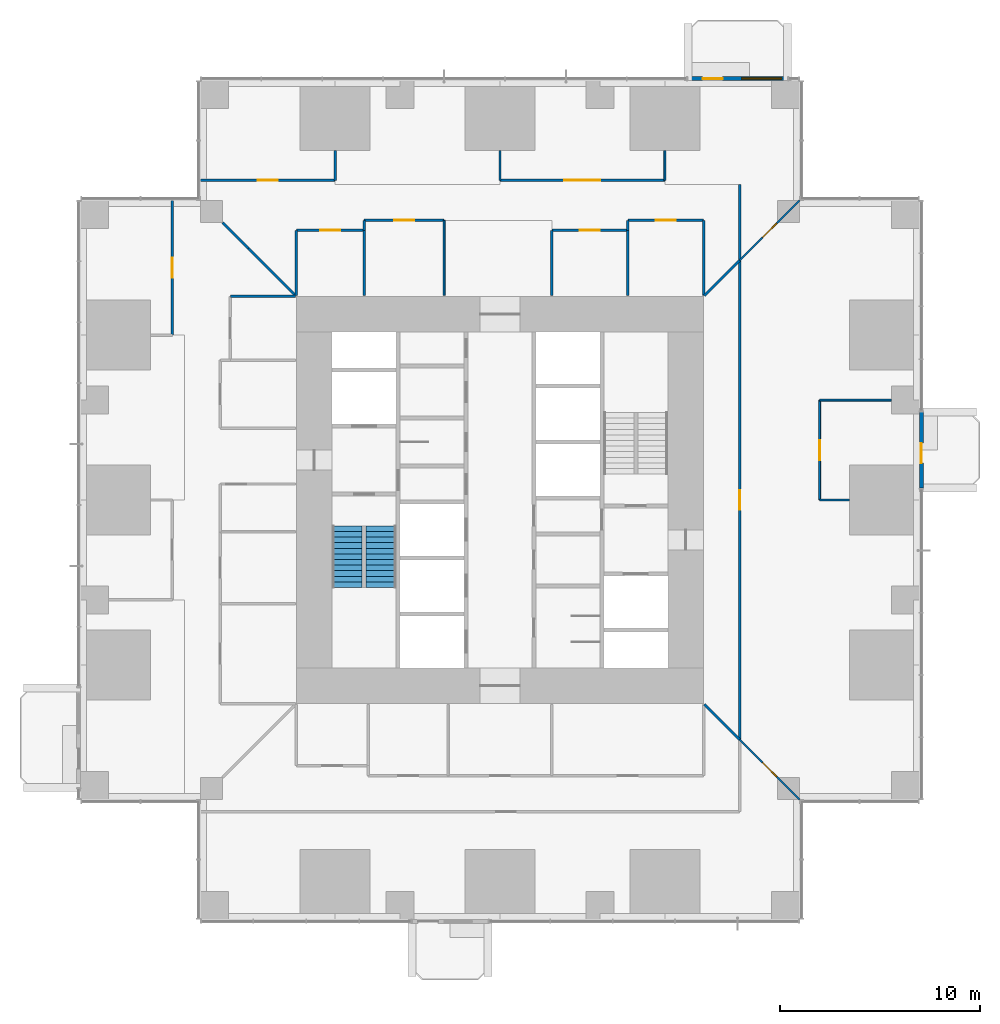
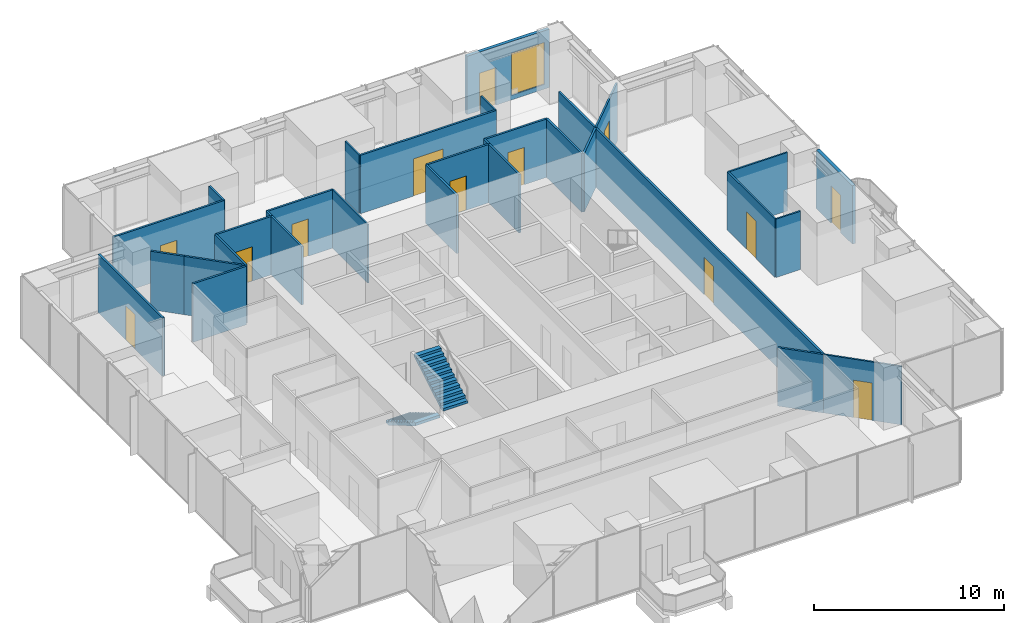
# One storey, part 13 of 17: 32 walls, 13 doors, 2 stair flights, 1 window, 14 openings, 1 element without a shape of its own.
"""IFC4 building model written with IfcOpenShell, lengths in metres."""

from ifc_helpers import new_model, si_unit, direction, frame, frame_2d, origin, place, context, subcontext, project, spatial, polyline, rectangle, outline, extrude, material, layer, layer_set, type_object, element, fill, aggregate, save


model = new_model("IFC4")

# Units and contexts
model_context = context("Model", 3, precision=1e-05, world=origin(), true_north=direction((0.0, 1.0)))
body_context = subcontext(model_context, "Body", "Model", "MODEL_VIEW")
ifc_project = project(units=[si_unit("LENGTHUNIT", "METRE"), si_unit("AREAUNIT", "SQUARE_METRE"), si_unit("VOLUMEUNIT", "CUBIC_METRE"), si_unit("PLANEANGLEUNIT", "RADIAN"), si_unit("MASSUNIT", "GRAM", prefix="KILO")], contexts=[model_context])

# Site, building, storey
site_placement = place(None, origin())
site = spatial("IfcSite", under=ifc_project, at=site_placement, CompositionType="ELEMENT")
building_placement = place(site_placement, origin())
building = spatial("IfcBuilding", under=site, at=building_placement, Name="Svetlomir Tower", CompositionType="ELEMENT")
storey_placement = place(building_placement, frame((0.0, 0.0, 30.5)))
storey = spatial("IfcBuildingStorey", under=building, at=storey_placement, Name="L06", CompositionType="ELEMENT", Elevation=30.5)

# Wall, opening, door
ifc_material_1 = material(Name="Bronze anodised aluminium glazed screen", Category="aluminium")
ifc_layer_1 = layer(ifc_material_1, 0.199951171875)
ifc_layer_set_1 = layer_set([ifc_layer_1], Name="Bronze anodised aluminium glazed screen")
wall_type_1 = type_object("IfcWallType", Name="BALCONY SCREEN WALL 200", PredefinedType="USERDEFINED", material=ifc_layer_set_1)
wall_1_placement = place(storey_placement, frame((42.10009765625, 21.60009765625, 0.0), z_axis=(0.0, 0.0, 1.0), x_axis=(0.0, 1.0, 0.0)))
wall_1 = element("IfcWall", 1, at=wall_1_placement, inside=storey, type_object=wall_type_1, Name="Balcony screen E", ObjectType="GLAZED SCREEN", PredefinedType="USERDEFINED", context=body_context, shape_type="SweptSolid", body=[
    extrude(rectangle(XDim=3.7998046875, YDim=0.199951171875, at=frame_2d((1.89990234375, 0.0))), origin(), (0.0, 0.0, 1.0), 3.75),
])
opening_1_placement = place(wall_1_placement, frame((1.25, 0.0, 0.0)))
opening_1 = element("IfcOpeningElement", 2, at=opening_1_placement, cuts=wall_1, Name="Opening BD", PredefinedType="OPENING", context=body_context, shape_type="SweptSolid", body=[
    extrude(rectangle(XDim=1.0, YDim=2.39990234375, at=frame_2d((0.5, 1.199951171875))), frame((0.0, 0.10986328125, 0.0), z_axis=(0.0, -1.0, 0.0), x_axis=(1.0, 0.0, 0.0)), (0.0, 0.0, 1.0), 0.219970703125),
])
ifc_material_2 = material(Name="Bronze anodised aluminium glazed door", Category="aluminium")
door_type_1 = type_object("IfcDoorType", Name="BALCONY DOOR BD 1000x2400", OperationType="SINGLE_SWING_LEFT", PredefinedType="DOOR", material=ifc_material_2)
door_1_placement = place(opening_1_placement, origin())
door_1 = element("IfcDoor", 3, at=door_1_placement, inside=storey, type_object=door_type_1, Name="Balcony screen E door", OperationType="SINGLE_SWING_LEFT", OverallHeight=2.39990234375, OverallWidth=1.0, PredefinedType="DOOR", context=body_context, shape_type="SweptSolid", body=[
    extrude(rectangle(XDim=1.0, YDim=2.39990234375, at=frame_2d((0.5, 1.199951171875))), frame((0.0, 0.02490234375, 0.0), z_axis=(0.0, -1.0, 0.0), x_axis=(1.0, 0.0, 0.0)), (0.0, 0.0, 1.0), 0.050048828125),
])
fill(opening_1, door_1)

# Wall, openings, door, window
wall_2_placement = place(storey_placement, frame((35.39990234375, 42.10009765625, 0.0), z_axis=(0.0, 0.0, 1.0), x_axis=(-1.0, 0.0, 0.0)))
wall_2 = element("IfcWall", 4, at=wall_2_placement, inside=storey, type_object=wall_type_1, Name="Balcony screen N", ObjectType="GLAZED SCREEN", PredefinedType="USERDEFINED", context=body_context, shape_type="SweptSolid", body=[
    extrude(rectangle(XDim=5.0, YDim=0.199951171875, at=frame_2d((2.5, 0.0))), origin(), (0.0, 0.0, 1.0), 3.75),
])
opening_2_placement = place(wall_2_placement, frame((3.25, 0.0, 0.0)))
opening_2 = element("IfcOpeningElement", 5, at=opening_2_placement, cuts=wall_2, Name="Opening BD", PredefinedType="OPENING", context=body_context, shape_type="SweptSolid", body=[
    extrude(rectangle(XDim=1.0, YDim=2.39990234375, at=frame_2d((0.5, 1.199951171875))), frame((0.0, 0.10986328125, 0.0), z_axis=(0.0, -1.0, 0.0), x_axis=(1.0, 0.0, 0.0)), (0.0, 0.0, 1.0), 0.219970703125),
])
opening_3_placement = place(wall_2_placement, frame((0.300048828125, 0.0, 0.300048828125)))
opening_3 = element("IfcOpeningElement", 6, at=opening_3_placement, cuts=wall_2, Name="Opening WS", PredefinedType="OPENING", context=body_context, shape_type="SweptSolid", body=[
    extrude(rectangle(XDim=2.0, YDim=2.699951171875, at=frame_2d((1.0, 1.35009765625))), frame((0.0, 0.10986328125, 0.0), z_axis=(0.0, -1.0, 0.0), x_axis=(1.0, 0.0, 0.0)), (0.0, 0.0, 1.0), 0.219970703125),
])
door_2_placement = place(opening_2_placement, origin())
door_2 = element("IfcDoor", 7, at=door_2_placement, inside=storey, type_object=door_type_1, Name="Balcony screen N door", OperationType="SINGLE_SWING_LEFT", OverallHeight=2.39990234375, OverallWidth=1.0, PredefinedType="DOOR", context=body_context, shape_type="SweptSolid", body=[
    extrude(rectangle(XDim=1.0, YDim=2.39990234375, at=frame_2d((0.5, 1.199951171875))), frame((0.0, 0.02490234375, 0.0), z_axis=(0.0, -1.0, 0.0), x_axis=(1.0, 0.0, 0.0)), (0.0, 0.0, 1.0), 0.050048828125),
])
fill(opening_2, door_2)
ifc_material_3 = material(Name="Bronze anodised aluminium window", Category="aluminium")
window_type = type_object("IfcWindowType", Name="SCREEN WINDOW WS 2000x2700", PartitioningType="SINGLE_PANEL", PredefinedType="WINDOW", material=ifc_material_3)
window_placement = place(opening_3_placement, origin())
window = element("IfcWindow", 8, at=window_placement, inside=storey, type_object=window_type, Name="Balcony screen N window 1", OverallHeight=2.699951171875, OverallWidth=2.0, PartitioningType="SINGLE_PANEL", PredefinedType="WINDOW", context=body_context, shape_type="SweptSolid", body=[
    extrude(rectangle(XDim=2.0, YDim=2.699951171875, at=frame_2d((1.0, 1.35009765625))), frame((0.0, 0.030029296875, 0.0), z_axis=(0.0, -1.0, 0.0), x_axis=(1.0, 0.0, 0.0)), (0.0, 0.0, 1.0), 0.06005859375),
])
fill(opening_3, window)

# Walls
ifc_material_4 = material(Name="Framed laminated glass partition", Category="glass")
ifc_layer_2 = layer(ifc_material_4, 0.10009765625)
ifc_layer_set_2 = layer_set([ifc_layer_2], Name="Framed laminated glass partition")
wall_type_2 = type_object("IfcWallType", Name="GLAZED PARTITION 100", PredefinedType="PARTITIONING", material=ifc_layer_set_2)
wall_3_placement = place(storey_placement, frame((18.199951171875, 31.25, 0.0), z_axis=(0.0, 0.0, 1.0), x_axis=(0.0, 1.0, 0.0)))
element("IfcWall", 9, at=wall_3_placement, inside=storey, type_object=wall_type_2, Name="Glazed partition L06", PredefinedType="PARTITIONING", context=body_context, shape_type="SweptSolid", body=[
    extrude(rectangle(XDim=3.75, YDim=0.10009765625, at=frame_2d((1.875, 0.0))), origin(), (0.0, 0.0, 1.0), 3.75),
])
for number, where, z_axis, x_axis, name in (
    (10, (21.0, 37.0, 0.0), (0.0, 0.0, 1.0), (0.0, 1.0, 0.0), "Glazed partition L06"),
    (11, (29.25, 37.0, 0.0), (0.0, 0.0, 1.0), (0.0, 1.0, 0.0), "Glazed partition L06"),
):
    element("IfcWall", number, at=place(storey_placement, frame(where, z_axis=z_axis, x_axis=x_axis)), inside=storey, type_object=wall_type_2, Name=name, PredefinedType="PARTITIONING", context=body_context, shape_type="SweptSolid", body=[
        extrude(rectangle(XDim=1.489990234375, YDim=0.10009765625, at=frame_2d((0.7451171875, 0.0))), origin(), (0.0, 0.0, 1.0), 3.75),
    ])

# Wall, opening, door
wall_4_placement = place(storey_placement, frame((37.0, 21.0, 0.0), z_axis=(0.0, 0.0, 1.0), x_axis=(0.0, 1.0, 0.0)))
wall_4 = element("IfcWall", 12, at=wall_4_placement, inside=storey, type_object=wall_type_2, Name="Glazed partition L06", PredefinedType="PARTITIONING", context=body_context, shape_type="SweptSolid", body=[
    extrude(rectangle(XDim=5.0, YDim=0.10009765625, at=frame_2d((2.5, 0.0))), origin(), (0.0, 0.0, 1.0), 3.75),
])
opening_4_placement = place(wall_4_placement, frame((2.0, 0.0, 0.0)))
opening_4 = element("IfcOpeningElement", 13, at=opening_4_placement, cuts=wall_4, Name="Opening DG", PredefinedType="OPENING", context=body_context, shape_type="SweptSolid", body=[
    extrude(rectangle(XDim=1.0, YDim=2.39990234375, at=frame_2d((0.5, 1.199951171875))), frame((0.0, 0.06005859375, 0.0), z_axis=(0.0, -1.0, 0.0), x_axis=(1.0, 0.0, 0.0)), (0.0, 0.0, 1.0), 0.1201171875),
])
ifc_material_5 = material(Name="Framed laminated glass door", Category="glass")
door_type_2 = type_object("IfcDoorType", Name="GLAZED DOOR DG 1000x2400", OperationType="SINGLE_SWING_LEFT", PredefinedType="DOOR", material=ifc_material_5)
door_3_placement = place(opening_4_placement, origin())
door_3 = element("IfcDoor", 14, at=door_3_placement, inside=storey, type_object=door_type_2, Name="Dealers' break-out and kitchenette door L06", OperationType="SINGLE_SWING_LEFT", OverallHeight=2.39990234375, OverallWidth=1.0, PredefinedType="DOOR", context=body_context, shape_type="SweptSolid", body=[
    extrude(rectangle(XDim=1.0, YDim=2.39990234375, at=frame_2d((0.5, 1.199951171875))), frame((0.0, 0.02490234375, 0.0), z_axis=(0.0, -1.0, 0.0), x_axis=(1.0, 0.0, 0.0)), (0.0, 0.0, 1.0), 0.050048828125),
])
fill(opening_4, door_3)

# Walls
wall_5_placement = place(storey_placement, frame((37.0, 21.0, 0.0), z_axis=(0.0, 0.0, 1.0), x_axis=(1.0, 0.0, 0.0)))
element("IfcWall", 15, at=wall_5_placement, inside=storey, type_object=wall_type_2, Name="Glazed partition L06", PredefinedType="PARTITIONING", context=body_context, shape_type="SweptSolid", body=[
    extrude(rectangle(XDim=1.489990234375, YDim=0.10009765625, at=frame_2d((0.7451171875, 0.0))), origin(), (0.0, 0.0, 1.0), 3.75),
])
wall_6_placement = place(storey_placement, frame((37.0, 26.0, 0.0), z_axis=(0.0, 0.0, 1.0), x_axis=(1.0, 0.0, 0.0)))
element("IfcWall", 16, at=wall_6_placement, inside=storey, type_object=wall_type_2, Name="Glazed partition L06", PredefinedType="PARTITIONING", context=body_context, shape_type="SweptSolid", body=[
    extrude(rectangle(XDim=3.590087890625, YDim=0.10009765625, at=frame_2d((1.794921875, 0.0))), origin(), (0.0, 0.0, 1.0), 3.75),
])

# Wall, opening, door
wall_7_placement = place(storey_placement, frame((33.0, 9.0, 0.0), z_axis=(0.0, 0.0, 1.0), x_axis=(0.707106781187, -0.707106781187, 0.0)))
wall_7 = element("IfcWall", 17, at=wall_7_placement, inside=storey, type_object=wall_type_2, Name="Glazed screen L06", PredefinedType="PARTITIONING", context=body_context, shape_type="SweptSolid", body=[
    extrude(rectangle(XDim=4.24267578125, YDim=0.10009765625, at=frame_2d((2.121337890625, 0.0))), origin(), (0.0, 0.0, 1.0), 3.75),
])
opening_5_placement = place(wall_7_placement, frame((1.621337890625, 0.0, 0.0)))
opening_5 = element("IfcOpeningElement", 18, at=opening_5_placement, cuts=wall_7, Name="Opening DG", PredefinedType="OPENING", context=body_context, shape_type="SweptSolid", body=[
    extrude(rectangle(XDim=1.0, YDim=2.39990234375, at=frame_2d((0.5, 1.199951171875))), frame((0.0, 0.06005859375, 0.0), z_axis=(0.0, -1.0, 0.0), x_axis=(1.0, 0.0, 0.0)), (0.0, 0.0, 1.0), 0.1201171875),
])
door_4_placement = place(opening_5_placement, origin())
door_4 = element("IfcDoor", 19, at=door_4_placement, inside=storey, type_object=door_type_2, Name="Glazed screen door L06", OperationType="SINGLE_SWING_RIGHT", OverallHeight=2.39990234375, OverallWidth=1.0, PredefinedType="DOOR", context=body_context, shape_type="SweptSolid", body=[
    extrude(rectangle(XDim=1.0, YDim=2.39990234375, at=frame_2d((0.5, 1.199951171875))), frame((0.0, 0.02490234375, 0.0), z_axis=(0.0, -1.0, 0.0), x_axis=(1.0, 0.0, 0.0)), (0.0, 0.0, 1.0), 0.050048828125),
])
fill(opening_5, door_4)

wall_8_placement = place(storey_placement, frame((33.0, 33.0, 0.0), z_axis=(0.0, 0.0, 1.0), x_axis=(0.707106781187, 0.707106781187, 0.0)))
wall_8 = element("IfcWall", 20, at=wall_8_placement, inside=storey, type_object=wall_type_2, Name="Glazed screen L06", PredefinedType="PARTITIONING", context=body_context, shape_type="SweptSolid", body=[
    extrude(rectangle(XDim=4.24267578125, YDim=0.10009765625, at=frame_2d((2.121337890625, 0.0))), origin(), (0.0, 0.0, 1.0), 3.75),
])
opening_6_placement = place(wall_8_placement, frame((1.621337890625, 0.0, 0.0)))
opening_6 = element("IfcOpeningElement", 21, at=opening_6_placement, cuts=wall_8, Name="Opening DG", PredefinedType="OPENING", context=body_context, shape_type="SweptSolid", body=[
    extrude(rectangle(XDim=1.0, YDim=2.39990234375, at=frame_2d((0.5, 1.199951171875))), frame((0.0, 0.06005859375, 0.0), z_axis=(0.0, -1.0, 0.0), x_axis=(1.0, 0.0, 0.0)), (0.0, 0.0, 1.0), 0.1201171875),
])
door_5_placement = place(opening_6_placement, origin())
door_5 = element("IfcDoor", 22, at=door_5_placement, inside=storey, type_object=door_type_2, Name="Glazed screen door L06", OperationType="SINGLE_SWING_RIGHT", OverallHeight=2.39990234375, OverallWidth=1.0, PredefinedType="DOOR", context=body_context, shape_type="SweptSolid", body=[
    extrude(rectangle(XDim=1.0, YDim=2.39990234375, at=frame_2d((0.5, 1.199951171875))), frame((0.0, 0.02490234375, 0.0), z_axis=(0.0, -1.0, 0.0), x_axis=(1.0, 0.0, 0.0)), (0.0, 0.0, 1.0), 0.050048828125),
])
fill(opening_6, door_5)

ifc_material_6 = material(Name="Gypsum board on steel studs", Category="steel")
ifc_layer_3 = layer(ifc_material_6, 0.1201171875)
ifc_layer_set_3 = layer_set([ifc_layer_3], Name="Gypsum board on steel studs")
wall_type_3 = type_object("IfcWallType", Name="PARTITION 120", PredefinedType="PARTITIONING", material=ifc_layer_set_3)
wall_9_placement = place(storey_placement, frame((4.60009765625, 29.25, 0.0), z_axis=(0.0, 0.0, 1.0), x_axis=(0.0, 1.0, 0.0)))
wall_9 = element("IfcWall", 23, at=wall_9_placement, inside=storey, type_object=wall_type_3, Name="Partition L06", PredefinedType="PARTITIONING", context=body_context, shape_type="SweptSolid", body=[
    extrude(rectangle(XDim=6.75, YDim=0.1201171875, at=frame_2d((3.375, 0.0))), origin(), (0.0, 0.0, 1.0), 3.75),
])
opening_7_placement = place(wall_9_placement, frame((2.875, 0.0, 0.0)))
opening_7 = element("IfcOpeningElement", 24, at=opening_7_placement, cuts=wall_9, Name="Opening DR", PredefinedType="OPENING", context=body_context, shape_type="SweptSolid", body=[
    extrude(rectangle(XDim=1.0, YDim=2.199951171875, at=frame_2d((0.5, 1.10009765625))), frame((0.0, 0.070068359375, 0.0), z_axis=(0.0, -1.0, 0.0), x_axis=(1.0, 0.0, 0.0)), (0.0, 0.0, 1.0), 0.14013671875),
])
ifc_material_7 = material(Name="Timber door, glazed side light", Category="wood")
door_type_3 = type_object("IfcDoorType", Name="DOOR DR 1000x2200", OperationType="SINGLE_SWING_LEFT", PredefinedType="DOOR", material=ifc_material_7)
door_6_placement = place(opening_7_placement, origin())
door_6 = element("IfcDoor", 25, at=door_6_placement, inside=storey, type_object=door_type_3, Name="Treasury operations office door L06", OperationType="SINGLE_SWING_LEFT", OverallHeight=2.199951171875, OverallWidth=1.0, PredefinedType="DOOR", context=body_context, shape_type="SweptSolid", body=[
    extrude(rectangle(XDim=1.0, YDim=2.199951171875, at=frame_2d((0.5, 1.10009765625))), frame((0.0, 0.02490234375, 0.0), z_axis=(0.0, -1.0, 0.0), x_axis=(1.0, 0.0, 0.0)), (0.0, 0.0, 1.0), 0.050048828125),
])
fill(opening_7, door_6)

wall_10_placement = place(storey_placement, frame((6.0, 37.0, 0.0), z_axis=(0.0, 0.0, 1.0), x_axis=(1.0, 0.0, 0.0)))
wall_10 = element("IfcWall", 26, at=wall_10_placement, inside=storey, type_object=wall_type_3, Name="Partition L06", PredefinedType="PARTITIONING", context=body_context, shape_type="SweptSolid", body=[
    extrude(rectangle(XDim=6.75, YDim=0.1201171875, at=frame_2d((3.375, 0.0))), origin(), (0.0, 0.0, 1.0), 3.75),
])
opening_8_placement = place(wall_10_placement, frame((2.875, 0.0, 0.0)))
opening_8 = element("IfcOpeningElement", 27, at=opening_8_placement, cuts=wall_10, Name="Opening DR", PredefinedType="OPENING", context=body_context, shape_type="SweptSolid", body=[
    extrude(rectangle(XDim=1.0, YDim=2.199951171875, at=frame_2d((0.5, 1.10009765625))), frame((0.0, 0.070068359375, 0.0), z_axis=(0.0, -1.0, 0.0), x_axis=(1.0, 0.0, 0.0)), (0.0, 0.0, 1.0), 0.14013671875),
])
door_7_placement = place(opening_8_placement, origin())
door_7 = element("IfcDoor", 28, at=door_7_placement, inside=storey, type_object=door_type_3, Name="Head of treasury office door L06", OperationType="SINGLE_SWING_RIGHT", OverallHeight=2.199951171875, OverallWidth=1.0, PredefinedType="DOOR", context=body_context, shape_type="SweptSolid", body=[
    extrude(rectangle(XDim=1.0, YDim=2.199951171875, at=frame_2d((0.5, 1.10009765625))), frame((0.0, 0.02490234375, 0.0), z_axis=(0.0, -1.0, 0.0), x_axis=(1.0, 0.0, 0.0)), (0.0, 0.0, 1.0), 0.050048828125),
])
fill(opening_8, door_7)

# Walls
wall_11_placement = place(storey_placement, frame((7.110107421875, 34.889892578125, 0.0), z_axis=(0.0, 0.0, 1.0), x_axis=(0.707106781187, -0.707106781187, 0.0)))
element("IfcWall", 29, at=wall_11_placement, inside=storey, type_object=wall_type_3, Name="Partition L06", PredefinedType="PARTITIONING", context=body_context, shape_type="SweptSolid", body=[
    extrude(rectangle(XDim=1.822021484375, YDim=0.1201171875, at=frame_2d((0.9111328125, 0.0))), origin(), (0.0, 0.0, 1.0), 3.75),
])
wall_12_placement = place(storey_placement, frame((7.5, 31.199951171875, 0.0), z_axis=(0.0, 0.0, 1.0), x_axis=(1.0, 0.0, 0.0)))
element("IfcWall", 30, at=wall_12_placement, inside=storey, type_object=wall_type_3, Name="Partition L06", PredefinedType="PARTITIONING", context=body_context, shape_type="SweptSolid", body=[
    extrude(rectangle(XDim=3.25, YDim=0.1201171875, at=frame_2d((1.625, 0.0))), origin(), (0.0, 0.0, 1.0), 3.75),
])
wall_13_placement = place(storey_placement, frame((8.3984375, 33.6015625, 0.0), z_axis=(0.0, 0.0, 1.0), x_axis=(0.707106781187, -0.707106781187, 0.0)))
element("IfcWall", 31, at=wall_13_placement, inside=storey, type_object=wall_type_3, Name="Partition L06", PredefinedType="PARTITIONING", context=body_context, shape_type="SweptSolid", body=[
    extrude(rectangle(XDim=3.346435546875, YDim=0.1201171875, at=frame_2d((1.67333984375, 0.0))), origin(), (0.0, 0.0, 1.0), 3.75),
])
wall_14_placement = place(storey_placement, frame((10.800048828125, 31.25, 0.0), z_axis=(0.0, 0.0, 1.0), x_axis=(0.0, 1.0, 0.0)))
element("IfcWall", 32, at=wall_14_placement, inside=storey, type_object=wall_type_3, Name="Partition L06", PredefinedType="PARTITIONING", context=body_context, shape_type="SweptSolid", body=[
    extrude(rectangle(XDim=3.25, YDim=0.1201171875, at=frame_2d((1.625, 0.0))), origin(), (0.0, 0.0, 1.0), 3.75),
])

# Wall, opening, door
wall_15_placement = place(storey_placement, frame((10.800048828125, 34.5, 0.0), z_axis=(0.0, 0.0, 1.0), x_axis=(1.0, 0.0, 0.0)))
wall_15 = element("IfcWall", 33, at=wall_15_placement, inside=storey, type_object=wall_type_3, Name="Partition L06", PredefinedType="PARTITIONING", context=body_context, shape_type="SweptSolid", body=[
    extrude(rectangle(XDim=3.39990234375, YDim=0.1201171875, at=frame_2d((1.699951171875, 0.0))), origin(), (0.0, 0.0, 1.0), 3.75),
])
opening_9_placement = place(wall_15_placement, frame((1.199951171875, 0.0, 0.0)))
opening_9 = element("IfcOpeningElement", 34, at=opening_9_placement, cuts=wall_15, Name="Opening DR", PredefinedType="OPENING", context=body_context, shape_type="SweptSolid", body=[
    extrude(rectangle(XDim=1.0, YDim=2.199951171875, at=frame_2d((0.5, 1.10009765625))), frame((0.0, 0.070068359375, 0.0), z_axis=(0.0, -1.0, 0.0), x_axis=(1.0, 0.0, 0.0)), (0.0, 0.0, 1.0), 0.14013671875),
])
door_8_placement = place(opening_9_placement, origin())
door_8 = element("IfcDoor", 35, at=door_8_placement, inside=storey, type_object=door_type_3, Name="Trade recording room door L06", OperationType="SINGLE_SWING_RIGHT", OverallHeight=2.199951171875, OverallWidth=1.0, PredefinedType="DOOR", context=body_context, shape_type="SweptSolid", body=[
    extrude(rectangle(XDim=1.0, YDim=2.199951171875, at=frame_2d((0.5, 1.10009765625))), frame((0.0, 0.02490234375, 0.0), z_axis=(0.0, -1.0, 0.0), x_axis=(1.0, 0.0, 0.0)), (0.0, 0.0, 1.0), 0.050048828125),
])
fill(opening_9, door_8)

# Walls
wall_16_placement = place(storey_placement, frame((12.75, 37.0, 0.0), z_axis=(0.0, 0.0, 1.0), x_axis=(0.0, 1.0, 0.0)))
element("IfcWall", 36, at=wall_16_placement, inside=storey, type_object=wall_type_3, Name="Partition L06", PredefinedType="PARTITIONING", context=body_context, shape_type="SweptSolid", body=[
    extrude(rectangle(XDim=1.489990234375, YDim=0.1201171875, at=frame_2d((0.7451171875, 0.0))), origin(), (0.0, 0.0, 1.0), 3.75),
])
wall_17_placement = place(storey_placement, frame((14.199951171875, 31.25, 0.0), z_axis=(0.0, 0.0, 1.0), x_axis=(0.0, 1.0, 0.0)))
element("IfcWall", 37, at=wall_17_placement, inside=storey, type_object=wall_type_3, Name="Partition L06", PredefinedType="PARTITIONING", context=body_context, shape_type="SweptSolid", body=[
    extrude(rectangle(XDim=3.25, YDim=0.1201171875, at=frame_2d((1.625, 0.0))), origin(), (0.0, 0.0, 1.0), 3.75),
])
wall_18_placement = place(storey_placement, frame((14.199951171875, 34.5, 0.0), z_axis=(0.0, 0.0, 1.0), x_axis=(0.0, 1.0, 0.0)))
element("IfcWall", 38, at=wall_18_placement, inside=storey, type_object=wall_type_3, Name="Partition L06", PredefinedType="PARTITIONING", context=body_context, shape_type="SweptSolid", body=[
    extrude(rectangle(XDim=0.5, YDim=0.1201171875, at=frame_2d((0.25, 0.0))), origin(), (0.0, 0.0, 1.0), 3.75),
])

# Wall, opening, door
wall_19_placement = place(storey_placement, frame((14.199951171875, 35.0, 0.0), z_axis=(0.0, 0.0, 1.0), x_axis=(1.0, 0.0, 0.0)))
wall_19 = element("IfcWall", 39, at=wall_19_placement, inside=storey, type_object=wall_type_3, Name="Partition L06", PredefinedType="PARTITIONING", context=body_context, shape_type="SweptSolid", body=[
    extrude(rectangle(XDim=4.0, YDim=0.1201171875, at=frame_2d((2.0, 0.0))), origin(), (0.0, 0.0, 1.0), 3.75),
])
opening_10_placement = place(wall_19_placement, frame((1.5, 0.0, 0.0)))
opening_10 = element("IfcOpeningElement", 40, at=opening_10_placement, cuts=wall_19, Name="Opening DG", PredefinedType="OPENING", context=body_context, shape_type="SweptSolid", body=[
    extrude(rectangle(XDim=1.0, YDim=2.39990234375, at=frame_2d((0.5, 1.199951171875))), frame((0.0, 0.070068359375, 0.0), z_axis=(0.0, -1.0, 0.0), x_axis=(1.0, 0.0, 0.0)), (0.0, 0.0, 1.0), 0.14013671875),
])
door_9_placement = place(opening_10_placement, origin())
door_9 = element("IfcDoor", 41, at=door_9_placement, inside=storey, type_object=door_type_2, Name="Meeting room, 6 seats door L06", OperationType="SINGLE_SWING_LEFT", OverallHeight=2.39990234375, OverallWidth=1.0, PredefinedType="DOOR", context=body_context, shape_type="SweptSolid", body=[
    extrude(rectangle(XDim=1.0, YDim=2.39990234375, at=frame_2d((0.5, 1.199951171875))), frame((0.0, 0.02490234375, 0.0), z_axis=(0.0, -1.0, 0.0), x_axis=(1.0, 0.0, 0.0)), (0.0, 0.0, 1.0), 0.050048828125),
])
fill(opening_10, door_9)

wall_20_placement = place(storey_placement, frame((21.0, 37.0, 0.0), z_axis=(0.0, 0.0, 1.0), x_axis=(1.0, 0.0, 0.0)))
wall_20 = element("IfcWall", 42, at=wall_20_placement, inside=storey, type_object=wall_type_3, Name="Partition L06", PredefinedType="PARTITIONING", context=body_context, shape_type="SweptSolid", body=[
    extrude(rectangle(XDim=8.25, YDim=0.1201171875, at=frame_2d((4.125, 0.0))), origin(), (0.0, 0.0, 1.0), 3.75),
])
opening_11_placement = place(wall_20_placement, frame((3.22509765625, 0.0, 0.0)))
opening_11 = element("IfcOpeningElement", 43, at=opening_11_placement, cuts=wall_20, Name="Opening DD", PredefinedType="OPENING", context=body_context, shape_type="SweptSolid", body=[
    extrude(rectangle(XDim=1.800048828125, YDim=2.39990234375, at=frame_2d((0.89990234375, 1.199951171875))), frame((0.0, 0.070068359375, 0.0), z_axis=(0.0, -1.0, 0.0), x_axis=(1.0, 0.0, 0.0)), (0.0, 0.0, 1.0), 0.14013671875),
])
ifc_material_8 = material(Name="Timber door", Category="wood")
door_type_4 = type_object("IfcDoorType", Name="DOOR DD 1800x2400", OperationType="DOUBLE_DOOR_SINGLE_SWING", PredefinedType="DOOR", material=ifc_material_8)
door_10_placement = place(opening_11_placement, origin())
door_10 = element("IfcDoor", 44, at=door_10_placement, inside=storey, type_object=door_type_4, Name="Treasury committee room, 16 seats door L06", OperationType="DOUBLE_DOOR_SINGLE_SWING", OverallHeight=2.39990234375, OverallWidth=1.800048828125, PredefinedType="DOOR", context=body_context, shape_type="SweptSolid", body=[
    extrude(rectangle(XDim=1.800048828125, YDim=2.39990234375, at=frame_2d((0.89990234375, 1.199951171875))), frame((0.0, 0.02490234375, 0.0), z_axis=(0.0, -1.0, 0.0), x_axis=(1.0, 0.0, 0.0)), (0.0, 0.0, 1.0), 0.050048828125),
])
fill(opening_11, door_10)

# Wall
wall_21_placement = place(storey_placement, frame((23.60009765625, 31.25, 0.0), z_axis=(0.0, 0.0, 1.0), x_axis=(0.0, 1.0, 0.0)))
element("IfcWall", 45, at=wall_21_placement, inside=storey, type_object=wall_type_3, Name="Partition L06", PredefinedType="PARTITIONING", context=body_context, shape_type="SweptSolid", body=[
    extrude(rectangle(XDim=3.25, YDim=0.1201171875, at=frame_2d((1.625, 0.0))), origin(), (0.0, 0.0, 1.0), 3.75),
])

# Wall, opening, door
wall_22_placement = place(storey_placement, frame((23.60009765625, 34.5, 0.0), z_axis=(0.0, 0.0, 1.0), x_axis=(1.0, 0.0, 0.0)))
wall_22 = element("IfcWall", 46, at=wall_22_placement, inside=storey, type_object=wall_type_3, Name="Partition L06", PredefinedType="PARTITIONING", context=body_context, shape_type="SweptSolid", body=[
    extrude(rectangle(XDim=3.7998046875, YDim=0.1201171875, at=frame_2d((1.89990234375, 0.0))), origin(), (0.0, 0.0, 1.0), 3.75),
])
opening_12_placement = place(wall_22_placement, frame((1.39990234375, 0.0, 0.0)))
opening_12 = element("IfcOpeningElement", 47, at=opening_12_placement, cuts=wall_22, Name="Opening DR", PredefinedType="OPENING", context=body_context, shape_type="SweptSolid", body=[
    extrude(rectangle(XDim=1.0, YDim=2.199951171875, at=frame_2d((0.5, 1.10009765625))), frame((0.0, 0.070068359375, 0.0), z_axis=(0.0, -1.0, 0.0), x_axis=(1.0, 0.0, 0.0)), (0.0, 0.0, 1.0), 0.14013671875),
])
door_11_placement = place(opening_12_placement, origin())
door_11 = element("IfcDoor", 48, at=door_11_placement, inside=storey, type_object=door_type_3, Name="Dealers' locker room door L06", OperationType="SINGLE_SWING_RIGHT", OverallHeight=2.199951171875, OverallWidth=1.0, PredefinedType="DOOR", context=body_context, shape_type="SweptSolid", body=[
    extrude(rectangle(XDim=1.0, YDim=2.199951171875, at=frame_2d((0.5, 1.10009765625))), frame((0.0, 0.02490234375, 0.0), z_axis=(0.0, -1.0, 0.0), x_axis=(1.0, 0.0, 0.0)), (0.0, 0.0, 1.0), 0.050048828125),
])
fill(opening_12, door_11)

# Walls
wall_23_placement = place(storey_placement, frame((27.39990234375, 31.25, 0.0), z_axis=(0.0, 0.0, 1.0), x_axis=(0.0, 1.0, 0.0)))
element("IfcWall", 49, at=wall_23_placement, inside=storey, type_object=wall_type_3, Name="Partition L06", PredefinedType="PARTITIONING", context=body_context, shape_type="SweptSolid", body=[
    extrude(rectangle(XDim=3.25, YDim=0.1201171875, at=frame_2d((1.625, 0.0))), origin(), (0.0, 0.0, 1.0), 3.75),
])
wall_24_placement = place(storey_placement, frame((27.39990234375, 34.5, 0.0), z_axis=(0.0, 0.0, 1.0), x_axis=(0.0, 1.0, 0.0)))
element("IfcWall", 50, at=wall_24_placement, inside=storey, type_object=wall_type_3, Name="Partition L06", PredefinedType="PARTITIONING", context=body_context, shape_type="SweptSolid", body=[
    extrude(rectangle(XDim=0.5, YDim=0.1201171875, at=frame_2d((0.25, 0.0))), origin(), (0.0, 0.0, 1.0), 3.75),
])

# Wall, opening, door
wall_25_placement = place(storey_placement, frame((27.39990234375, 35.0, 0.0), z_axis=(0.0, 0.0, 1.0), x_axis=(1.0, 0.0, 0.0)))
wall_25 = element("IfcWall", 51, at=wall_25_placement, inside=storey, type_object=wall_type_3, Name="Partition L06", PredefinedType="PARTITIONING", context=body_context, shape_type="SweptSolid", body=[
    extrude(rectangle(XDim=3.800048828125, YDim=0.1201171875, at=frame_2d((1.89990234375, 0.0))), origin(), (0.0, 0.0, 1.0), 3.75),
])
opening_13_placement = place(wall_25_placement, frame((1.39990234375, 0.0, 0.0)))
opening_13 = element("IfcOpeningElement", 52, at=opening_13_placement, cuts=wall_25, Name="Opening DG", PredefinedType="OPENING", context=body_context, shape_type="SweptSolid", body=[
    extrude(rectangle(XDim=1.0, YDim=2.39990234375, at=frame_2d((0.5, 1.199951171875))), frame((0.0, 0.070068359375, 0.0), z_axis=(0.0, -1.0, 0.0), x_axis=(1.0, 0.0, 0.0)), (0.0, 0.0, 1.0), 0.14013671875),
])
door_12_placement = place(opening_13_placement, origin())
door_12 = element("IfcDoor", 53, at=door_12_placement, inside=storey, type_object=door_type_2, Name="Focus room door L06", OperationType="SINGLE_SWING_LEFT", OverallHeight=2.39990234375, OverallWidth=1.0, PredefinedType="DOOR", context=body_context, shape_type="SweptSolid", body=[
    extrude(rectangle(XDim=1.0, YDim=2.39990234375, at=frame_2d((0.5, 1.199951171875))), frame((0.0, 0.02490234375, 0.0), z_axis=(0.0, -1.0, 0.0), x_axis=(1.0, 0.0, 0.0)), (0.0, 0.0, 1.0), 0.050048828125),
])
fill(opening_13, door_12)

# Walls
wall_26_placement = place(storey_placement, frame((31.199951171875, 31.25, 0.0), z_axis=(0.0, 0.0, 1.0), x_axis=(0.0, 1.0, 0.0)))
element("IfcWall", 54, at=wall_26_placement, inside=storey, type_object=wall_type_3, Name="Partition L06", PredefinedType="PARTITIONING", context=body_context, shape_type="SweptSolid", body=[
    extrude(rectangle(XDim=3.75, YDim=0.1201171875, at=frame_2d((1.875, 0.0))), origin(), (0.0, 0.0, 1.0), 3.75),
])
for number, where, z_axis, x_axis, name in (
    (55, (31.2353515625, 10.7646484375, 0.0), (0.0, 0.0, 1.0), (0.707106781187, -0.707106781187, 0.0), "Partition L06"),
    (56, (31.2353515625, 31.2353515625, 0.0), (0.0, 0.0, 1.0), (0.707106781187, 0.707106781187, 0.0), "Partition L06"),
):
    element("IfcWall", number, at=place(storey_placement, frame(where, z_axis=z_axis, x_axis=x_axis)), inside=storey, type_object=wall_type_3, Name=name, PredefinedType="PARTITIONING", context=body_context, shape_type="SweptSolid", body=[
        extrude(rectangle(XDim=2.4814453125, YDim=0.1201171875, at=frame_2d((1.24072265625, 0.0))), origin(), (0.0, 0.0, 1.0), 3.75),
    ])

# Wall, opening, door
wall_27_placement = place(storey_placement, frame((33.0, 9.010009765625, 0.0), z_axis=(0.0, 0.0, 1.0), x_axis=(0.0, 1.0, 0.0)))
wall_27 = element("IfcWall", 57, at=wall_27_placement, inside=storey, type_object=wall_type_3, Name="Partition L06", PredefinedType="PARTITIONING", context=body_context, shape_type="SweptSolid", body=[
    extrude(rectangle(XDim=23.97998046875, YDim=0.1201171875, at=frame_2d((11.989990234375, 0.0))), origin(), (0.0, 0.0, 1.0), 3.75),
])
opening_14_placement = place(wall_27_placement, frame((11.489990234375, 0.0, 0.0)))
opening_14 = element("IfcOpeningElement", 58, at=opening_14_placement, cuts=wall_27, Name="Opening DG", PredefinedType="OPENING", context=body_context, shape_type="SweptSolid", body=[
    extrude(rectangle(XDim=1.0, YDim=2.39990234375, at=frame_2d((0.5, 1.199951171875))), frame((0.0, 0.070068359375, 0.0), z_axis=(0.0, -1.0, 0.0), x_axis=(1.0, 0.0, 0.0)), (0.0, 0.0, 1.0), 0.14013671875),
])
door_13_placement = place(opening_14_placement, origin())
door_13 = element("IfcDoor", 59, at=door_13_placement, inside=storey, type_object=door_type_2, Name="Ring corridor 2 door 1 L06", OperationType="SINGLE_SWING_RIGHT", OverallHeight=2.39990234375, OverallWidth=1.0, PredefinedType="DOOR", context=body_context, shape_type="SweptSolid", body=[
    extrude(rectangle(XDim=1.0, YDim=2.39990234375, at=frame_2d((0.5, 1.199951171875))), frame((0.0, 0.02490234375, 0.0), z_axis=(0.0, -1.0, 0.0), x_axis=(1.0, 0.0, 0.0)), (0.0, 0.0, 1.0), 0.050048828125),
])
fill(opening_14, door_13)

# Wall
wall_28_placement = place(storey_placement, frame((33.0, 33.010009765625, 0.0), z_axis=(0.0, 0.0, 1.0), x_axis=(0.0, 1.0, 0.0)))
element("IfcWall", 60, at=wall_28_placement, inside=storey, type_object=wall_type_3, Name="Partition L06", PredefinedType="PARTITIONING", context=body_context, shape_type="SweptSolid", body=[
    extrude(rectangle(XDim=3.7900390625, YDim=0.1201171875, at=frame_2d((1.89501953125, 0.0))), origin(), (0.0, 0.0, 1.0), 3.75),
])

# Stair, stair flights
ifc_material_9 = material(Name="Concrete C60/75", Category="concrete")
stair_type = type_object("IfcStairType", Name="EXIT STAIR 3200 RISE 4000", PredefinedType="HALF_TURN_STAIR", material=ifc_material_9)
stair_placement = place(storey_placement, origin())
stair = element("IfcStair", 61, at=stair_placement, inside=storey, type_object=stair_type, Name="Stair S1 L06 to L07", PredefinedType="HALF_TURN_STAIR")
ifc_material_10 = material(Name="Concrete C60/75", Category="concrete")
stair_flight_type = type_object("IfcStairFlightType", Name="STAIR FLIGHT 1500 OF 12 RISERS", PredefinedType="STRAIGHT", material=ifc_material_10)
stair_flight_1_placement = place(storey_placement, frame((13.35009765625, 19.699951171875, 0.0), z_axis=(0.0, 0.0, 1.0), x_axis=(0.0, -1.0, 0.0)))
stair_flight_1 = element("IfcStairFlight", 62, at=stair_flight_1_placement, type_object=stair_flight_type, Name="S1 flight 1", NumberOfRisers=12, NumberOfTreads=11, PredefinedType="STRAIGHT", RiserHeight=0.166666667, TreadLength=0.28, context=body_context, shape_type="SweptSolid", body=[
    extrude(outline(polyline([(0.0, 0.0), (0.0, 0.166748046875), (0.280029296875, 0.166748046875), (0.280029296875, 0.333251953125), (0.56005859375, 0.333251953125), (0.56005859375, 0.5), (0.840087890625, 0.5), (0.840087890625, 0.666748046875), (1.1201171875, 0.666748046875), (1.1201171875, 0.833251953125), (1.39990234375, 0.833251953125), (1.39990234375, 1.0), (1.679931640625, 1.0), (1.679931640625, 1.166748046875), (1.9599609375, 1.166748046875), (1.9599609375, 1.333251953125), (2.239990234375, 1.333251953125), (2.239990234375, 1.5), (2.52001953125, 1.5), (2.52001953125, 1.666748046875), (2.800048828125, 1.666748046875), (2.800048828125, 1.833251953125), (3.080078125, 1.833251953125), (3.080078125, 2.0), (3.080078125, 1.658935546875), (0.29296875, 0.0), (0.0, 0.0)])), frame((0.0, 0.75, 0.0), z_axis=(0.0, -1.0, 0.0), x_axis=(1.0, 0.0, 0.0)), (0.0, 0.0, 1.0), 1.5),
])
stair_flight_2_placement = place(storey_placement, frame((15.050048828125, 16.6201171875, 2.0), z_axis=(0.0, 0.0, 1.0), x_axis=(0.0, 1.0, 0.0)))
stair_flight_2 = element("IfcStairFlight", 63, at=stair_flight_2_placement, type_object=stair_flight_type, Name="S1 flight 2", NumberOfRisers=12, NumberOfTreads=11, PredefinedType="STRAIGHT", RiserHeight=0.166666667, TreadLength=0.28, context=body_context, shape_type="SweptSolid", body=[
    extrude(outline(polyline([(0.0, 0.0), (0.0, 0.166748046875), (0.280029296875, 0.166748046875), (0.280029296875, 0.333251953125), (0.56005859375, 0.333251953125), (0.56005859375, 0.5), (0.840087890625, 0.5), (0.840087890625, 0.666748046875), (1.1201171875, 0.666748046875), (1.1201171875, 0.833251953125), (1.39990234375, 0.833251953125), (1.39990234375, 1.0), (1.679931640625, 1.0), (1.679931640625, 1.166748046875), (1.9599609375, 1.166748046875), (1.9599609375, 1.333251953125), (2.239990234375, 1.333251953125), (2.239990234375, 1.5), (2.52001953125, 1.5), (2.52001953125, 1.666748046875), (2.800048828125, 1.666748046875), (2.800048828125, 1.833251953125), (3.080078125, 1.833251953125), (3.080078125, 2.0), (3.080078125, 1.658935546875), (0.29296875, 0.0), (0.0, 0.0)])), frame((0.0, 0.75, 0.0), z_axis=(0.0, -1.0, 0.0), x_axis=(1.0, 0.0, 0.0)), (0.0, 0.0, 1.0), 1.5),
])
aggregate(stair, [stair_flight_1, stair_flight_2])

save(model, "model.ifc")
